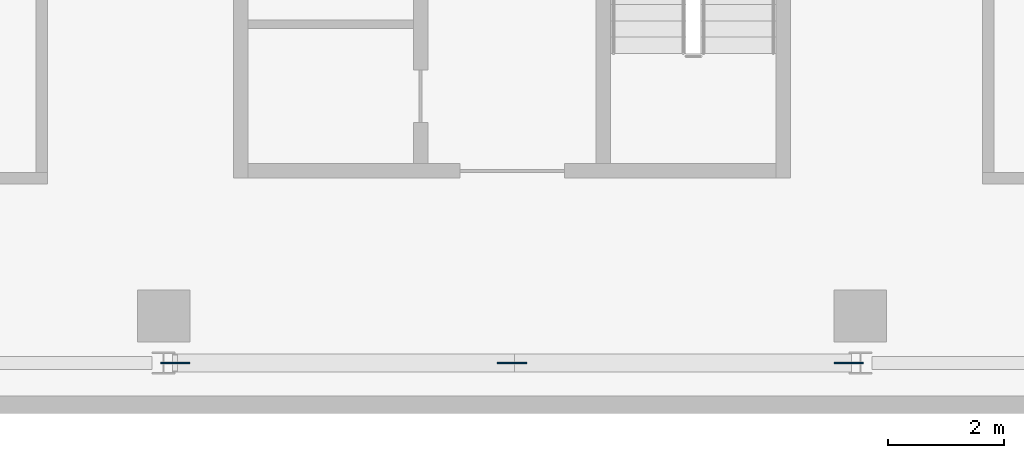
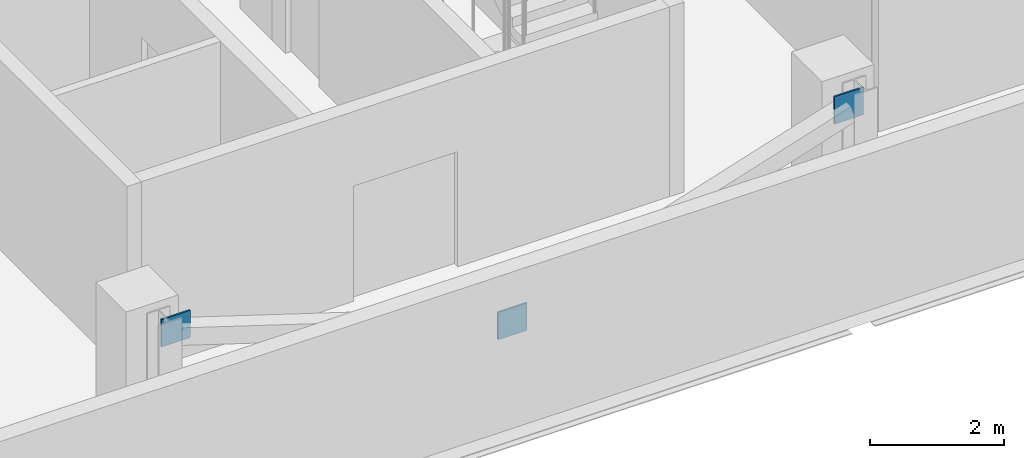
# One storey, part 22 of 29: 3 discrete accessories.
"""IFC4 building model written with IfcOpenShell, lengths in metres."""

from ifc_helpers import new_model, si_unit, direction, frame, origin, origin_2d, place, context, subcontext, project, spatial, rectangle, extrude, material, layer, layer_set, type_object, element, save


model = new_model("IFC4")

# Units and contexts
model_context = context("Model", 3, precision=1e-05, world=origin(), true_north=direction((0.0, 1.0)))
body_context = subcontext(model_context, "Body", "Model", "MODEL_VIEW")
ifc_project = project(units=[si_unit("LENGTHUNIT", "METRE"), si_unit("AREAUNIT", "SQUARE_METRE"), si_unit("VOLUMEUNIT", "CUBIC_METRE"), si_unit("PLANEANGLEUNIT", "RADIAN"), si_unit("MASSUNIT", "GRAM", prefix="KILO")], contexts=[model_context])

# Site, building, storey
site_placement = place(None, origin())
site = spatial("IfcSite", under=ifc_project, at=site_placement, CompositionType="ELEMENT")
building_placement = place(site_placement, origin())
building = spatial("IfcBuilding", under=site, at=building_placement, Name="Mahtab Terrace Research Tower", CompositionType="ELEMENT")
storey_placement = place(building_placement, frame((0.0, 0.0, 274.699951171875)))
storey = spatial("IfcBuildingStorey", under=building, at=storey_placement, Name="L67", CompositionType="ELEMENT", Elevation=274.699951171875)

# Discrete accessories
ifc_material = material(Name="Steel ASTM A992 Gr 50", Category="steel")
ifc_layer = layer(ifc_material, 0.030029296875)
ifc_layer_set = layer_set([ifc_layer], Name="Gusset plate 500x500x30")
discrete_accessory_type = type_object("IfcDiscreteAccessoryType", Name="Gusset plate 500x500x30", PredefinedType="USERDEFINED", material=ifc_layer_set)
for number, where, z_axis, x_axis, name in (
    (1, (-5.802978515625, -12.306884765625, 2.906494140625), (0.0, 0.0, 1.0), (1.0, 0.0, 0.0), "Gusset plate"),
    (2, (0.0, -12.306884765625, 1.006591796875), (0.0, 0.0, 1.0), (1.0, 0.0, 0.0), "Gusset plate"),
    (3, (5.802978515625, -12.306884765625, 2.906494140625), (0.0, 0.0, 1.0), (1.0, 0.0, 0.0), "Gusset plate"),
):
    element("IfcDiscreteAccessory", number, at=place(storey_placement, frame(where, z_axis=z_axis, x_axis=x_axis)), inside=storey, type_object=discrete_accessory_type, Name=name, ObjectType="GUSSET PLATE", PredefinedType="USERDEFINED", context=body_context, shape_type="SweptSolid", body=[
        extrude(rectangle(XDim=0.5, YDim=0.030029296875, at=origin_2d()), origin(), (0.0, 0.0, 1.0), 0.5),
    ])

save(model, "model.ifc")
